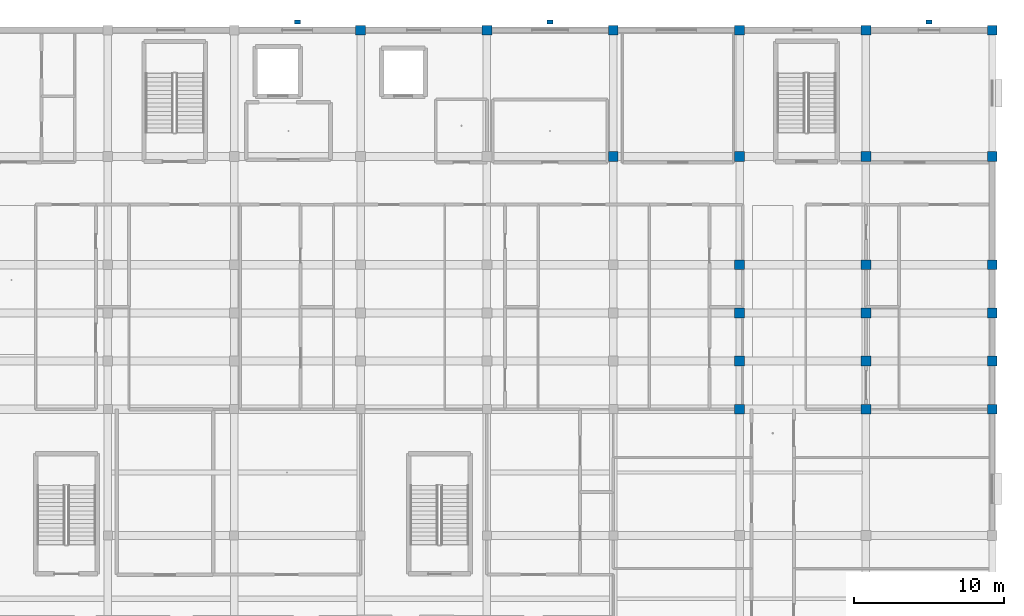
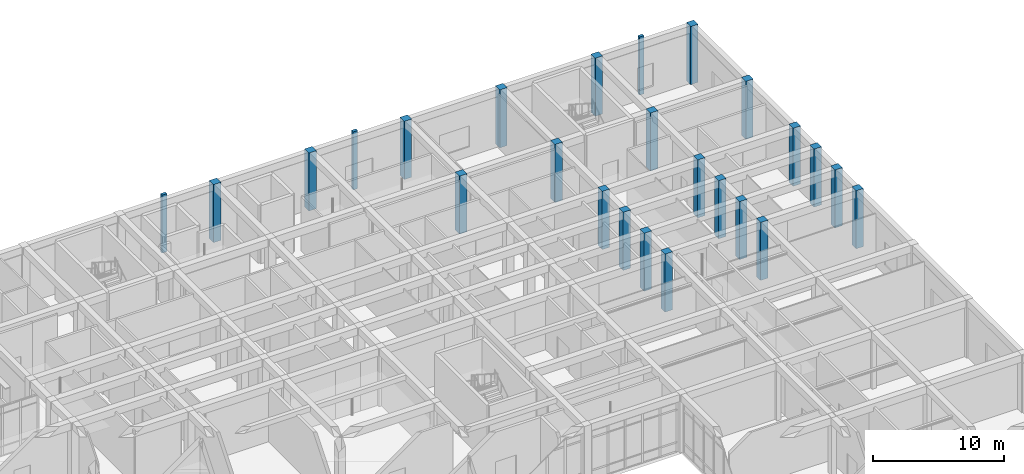
# One storey, part 6 of 157: 25 columns.
"""IFC4 building model written with IfcOpenShell, lengths in metres."""

from ifc_helpers import new_model, si_unit, direction, frame, origin, origin_2d, place, context, subcontext, project, spatial, rectangle, extrude, material, material_profile, profile_set, type_object, element, save


model = new_model("IFC4")

# Units and contexts
model_context = context("Model", 3, precision=1e-05, world=origin(), true_north=direction((0.0, 1.0)))
body_context = subcontext(model_context, "Body", "Model", "MODEL_VIEW")
ifc_project = project(units=[si_unit("LENGTHUNIT", "METRE"), si_unit("AREAUNIT", "SQUARE_METRE"), si_unit("VOLUMEUNIT", "CUBIC_METRE"), si_unit("PLANEANGLEUNIT", "RADIAN"), si_unit("MASSUNIT", "GRAM", prefix="KILO")], contexts=[model_context])

# Site, building, storey
site_placement = place(None, origin())
site = spatial("IfcSite", under=ifc_project, at=site_placement, CompositionType="ELEMENT")
building_placement = place(site_placement, origin())
building = spatial("IfcBuilding", under=site, at=building_placement, Name="Varncliffe General Hospital", CompositionType="ELEMENT")
storey_placement = place(building_placement, frame((0.0, 0.0, 5.39990234375)))
storey = spatial("IfcBuildingStorey", under=building, at=storey_placement, Name="L01", CompositionType="ELEMENT", Elevation=5.39990234375)

# Columns
ifc_material_1 = material(Name="Concrete C40/50 (CSA A23.1 40 MPa)", Category="concrete")
ifc_material_profile_1 = material_profile(ifc_material_1, rectangle(XDim=0.64990234375, YDim=0.64990234375, at=origin_2d()), Name="RC 650x650")
ifc_profile_set_1 = profile_set([ifc_material_profile_1], Name="Concrete C40/50 (CSA A23.1 40 MPa)")
column_type_1 = type_object("IfcColumnType", Name="Column C21 (Ext RC 650x650)", PredefinedType="COLUMN", material=ifc_profile_set_1)
for number, where, z_axis, x_axis, name in (
    (1, (134.39990234375, 124.800048828125, 0.0), (0.0, 0.0, 1.0), (1.0, 0.0, 0.0), "L01 Column C21"),
    (2, (142.800048828125, 124.800048828125, 0.0), (0.0, 0.0, 1.0), (1.0, 0.0, 0.0), "L01 Column C21"),
    (3, (151.199951171875, 124.800048828125, 0.0), (0.0, 0.0, 1.0), (1.0, 0.0, 0.0), "L01 Column C21"),
    (4, (159.60009765625, 124.800048828125, 0.0), (0.0, 0.0, 1.0), (1.0, 0.0, 0.0), "L01 Column C21"),
    (5, (168.0, 124.800048828125, 0.0), (0.0, 0.0, 1.0), (1.0, 0.0, 0.0), "L01 Column C21"),
    (6, (176.39990234375, 99.60009765625, 0.0), (0.0, 0.0, 1.0), (1.0, 0.0, 0.0), "L01 Column C21"),
    (7, (176.39990234375, 102.800048828125, 0.0), (0.0, 0.0, 1.0), (1.0, 0.0, 0.0), "L01 Column C21"),
    (8, (176.39990234375, 106.0, 0.0), (0.0, 0.0, 1.0), (1.0, 0.0, 0.0), "L01 Column C21"),
    (9, (176.39990234375, 109.199951171875, 0.0), (0.0, 0.0, 1.0), (1.0, 0.0, 0.0), "L01 Column C21"),
    (10, (176.39990234375, 116.39990234375, 0.0), (0.0, 0.0, 1.0), (1.0, 0.0, 0.0), "L01 Column C21"),
    (11, (176.39990234375, 124.800048828125, 0.0), (0.0, 0.0, 1.0), (1.0, 0.0, 0.0), "L01 Column C21"),
):
    element("IfcColumn", number, at=place(storey_placement, frame(where, z_axis=z_axis, x_axis=x_axis)), inside=storey, type_object=column_type_1, Name=name, PredefinedType="COLUMN", context=body_context, shape_type="SweptSolid", body=[
        extrude(rectangle(XDim=0.64990234375, YDim=0.64990234375, at=origin_2d()), origin(), (0.0, 0.0, 1.0), 5.400146484375),
    ])
ifc_material_profile_2 = material_profile(ifc_material_1, rectangle(XDim=0.64990234375, YDim=0.64990234375, at=origin_2d()), Name="RC 650x650")
ifc_profile_set_2 = profile_set([ifc_material_profile_2], Name="Concrete C40/50 (CSA A23.1 40 MPa)")
column_type_2 = type_object("IfcColumnType", Name="Column C29 (Int RC 650x650)", PredefinedType="COLUMN", material=ifc_profile_set_2)
for number, where, z_axis, x_axis, name in (
    (12, (151.199951171875, 116.39990234375, 0.0), (0.0, 0.0, 1.0), (1.0, 0.0, 0.0), "L01 Column C29"),
    (13, (159.60009765625, 99.60009765625, 0.0), (0.0, 0.0, 1.0), (1.0, 0.0, 0.0), "L01 Column C29"),
    (14, (159.60009765625, 102.800048828125, 0.0), (0.0, 0.0, 1.0), (1.0, 0.0, 0.0), "L01 Column C29"),
    (15, (159.60009765625, 106.0, 0.0), (0.0, 0.0, 1.0), (1.0, 0.0, 0.0), "L01 Column C29"),
    (16, (159.60009765625, 109.199951171875, 0.0), (0.0, 0.0, 1.0), (1.0, 0.0, 0.0), "L01 Column C29"),
    (17, (159.60009765625, 116.39990234375, 0.0), (0.0, 0.0, 1.0), (1.0, 0.0, 0.0), "L01 Column C29"),
    (18, (168.0, 99.60009765625, 0.0), (0.0, 0.0, 1.0), (1.0, 0.0, 0.0), "L01 Column C29"),
    (19, (168.0, 102.800048828125, 0.0), (0.0, 0.0, 1.0), (1.0, 0.0, 0.0), "L01 Column C29"),
    (20, (168.0, 106.0, 0.0), (0.0, 0.0, 1.0), (1.0, 0.0, 0.0), "L01 Column C29"),
    (21, (168.0, 109.199951171875, 0.0), (0.0, 0.0, 1.0), (1.0, 0.0, 0.0), "L01 Column C29"),
    (22, (168.0, 116.39990234375, 0.0), (0.0, 0.0, 1.0), (1.0, 0.0, 0.0), "L01 Column C29"),
):
    element("IfcColumn", number, at=place(storey_placement, frame(where, z_axis=z_axis, x_axis=x_axis)), inside=storey, type_object=column_type_2, Name=name, PredefinedType="COLUMN", context=body_context, shape_type="SweptSolid", body=[
        extrude(rectangle(XDim=0.64990234375, YDim=0.64990234375, at=origin_2d()), origin(), (0.0, 0.0, 1.0), 5.400146484375),
    ])
ifc_material_2 = material(Name="Precast concrete C40/50", Category="concrete")
ifc_material_profile_3 = material_profile(ifc_material_2, rectangle(XDim=0.39990234375, YDim=0.25, at=origin_2d()), Name="PIL 400x250")
ifc_profile_set_3 = profile_set([ifc_material_profile_3], Name="Precast concrete C40/50")
column_type_3 = type_object("IfcColumnType", Name="Pilaster PL17 (PIL 400x250)", PredefinedType="PILASTER", material=ifc_profile_set_3)
for number, where, z_axis, x_axis, name in (
    (23, (130.199951171875, 125.35009765625, 0.0), (0.0, 0.0, 1.0), (1.0, 0.0, 0.0), "L01 Facade Pilaster PL17-15"),
    (24, (147.0, 125.35009765625, 0.0), (0.0, 0.0, 1.0), (1.0, 0.0, 0.0), "L01 Facade Pilaster PL17-16"),
    (25, (172.199951171875, 125.35009765625, 0.0), (0.0, 0.0, 1.0), (1.0, 0.0, 0.0), "L01 Facade Pilaster PL17-17"),
):
    element("IfcColumn", number, at=place(storey_placement, frame(where, z_axis=z_axis, x_axis=x_axis)), inside=storey, type_object=column_type_3, Name=name, PredefinedType="PILASTER", context=body_context, shape_type="SweptSolid", body=[
        extrude(rectangle(XDim=0.39990234375, YDim=0.25, at=origin_2d()), origin(), (0.0, 0.0, 1.0), 5.400146484375),
    ])

save(model, "model.ifc")
